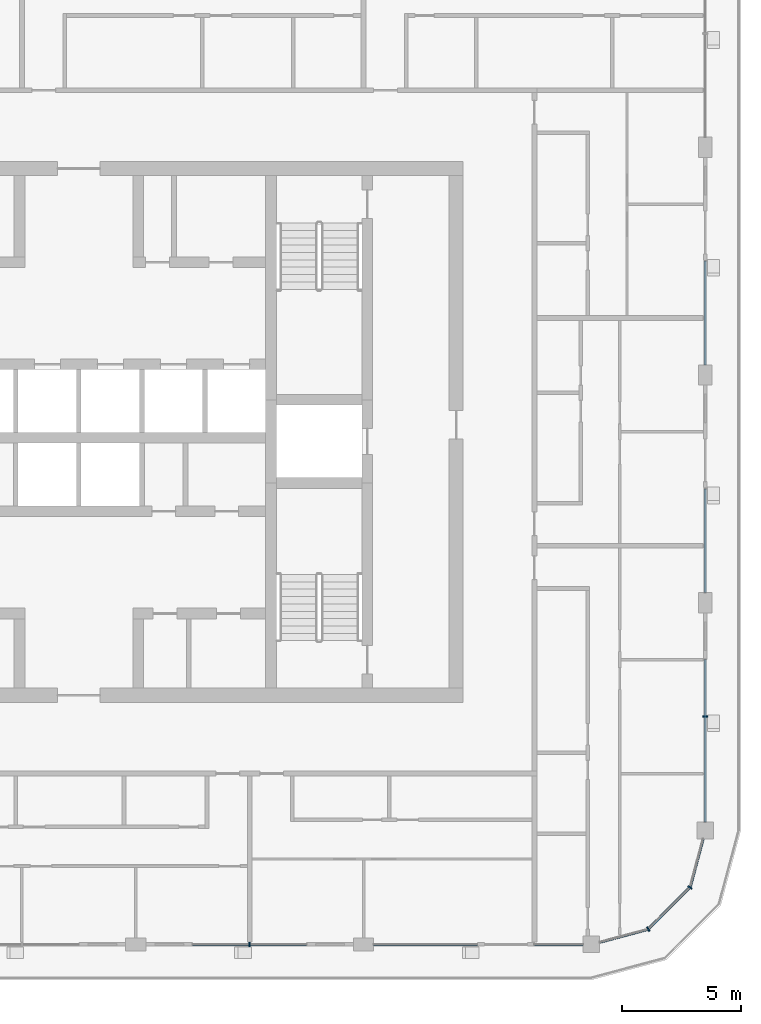
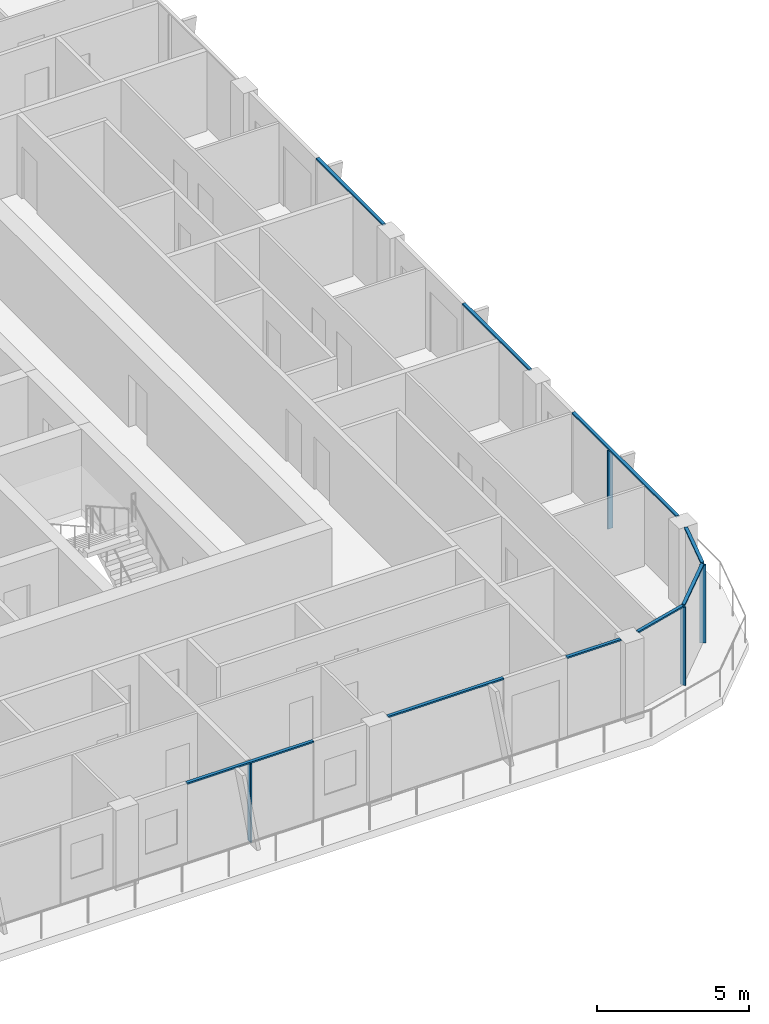
# One storey, part 4 of 22: 13 members, 6 elements without a shape of their own.
"""IFC4 building model written with IfcOpenShell, lengths in metres."""

from ifc_helpers import new_model, si_unit, direction, frame, origin, origin_2d, place, context, subcontext, project, spatial, rectangle, extrude, material, layer, layer_set, material_profile, profile_set, type_object, element, aggregate, save


model = new_model("IFC4")

# Units and contexts
model_context = context("Model", 3, precision=1e-05, world=origin(), true_north=direction((0.0, 1.0)))
body_context = subcontext(model_context, "Body", "Model", "MODEL_VIEW")
ifc_project = project(units=[si_unit("LENGTHUNIT", "METRE"), si_unit("AREAUNIT", "SQUARE_METRE"), si_unit("VOLUMEUNIT", "CUBIC_METRE"), si_unit("PLANEANGLEUNIT", "RADIAN"), si_unit("MASSUNIT", "GRAM", prefix="KILO")], contexts=[model_context])

# Site, building, storey
site_placement = place(None, origin())
site = spatial("IfcSite", under=ifc_project, at=site_placement, CompositionType="ELEMENT")
building_placement = place(site_placement, origin())
building = spatial("IfcBuilding", under=site, at=building_placement, Name="Madar Terraces", CompositionType="ELEMENT")
storey_placement = place(building_placement, frame((0.0, 0.0, 256.199951171875)))
storey = spatial("IfcBuildingStorey", under=building, at=storey_placement, Name="L67", CompositionType="ELEMENT", Elevation=256.199951171875)

# Curtain wall, member
ifc_material_1 = material(Name="Glass, ceramic frit dark grey, with black aluminium frame", Category="aluminium")
ifc_layer = layer(ifc_material_1, 0.199951171875)
ifc_layer_set = layer_set([ifc_layer], Name="Facade curtain wall, fritted glass")
curtain_wall_type = type_object("IfcCurtainWallType", Name="Facade curtain wall, fritted glass", PredefinedType="NOTDEFINED", material=ifc_layer_set)
curtain_wall_1_placement = place(storey_placement, origin())
curtain_wall_1 = element("IfcCurtainWall", 1, at=curtain_wall_1_placement, inside=storey, type_object=curtain_wall_type, Name="Outer skin curtain wall south bay 4", PredefinedType="NOTDEFINED")
ifc_material_2 = material(Name="Aluminium, black anodised", Category="aluminium")
ifc_material_profile_1 = material_profile(ifc_material_2, rectangle(XDim=0.199951171875, YDim=0.06005859375, at=origin_2d()), Name="Facade mullion 60x200")
ifc_profile_set_1 = profile_set([ifc_material_profile_1], Name="Aluminium, black anodised")
member_type_1 = type_object("IfcMemberType", Name="Facade mullion 60x200", PredefinedType="MULLION", material=ifc_profile_set_1)
member_1_placement = place(storey_placement, frame((38.39990234375, 4.800048828125, 0.0), z_axis=(0.0, 0.0, 1.0), x_axis=(0.0, 1.0, 0.0)))
member_1 = element("IfcMember", 2, at=member_1_placement, type_object=member_type_1, Name="Mullion 1", PredefinedType="MULLION", context=body_context, shape_type="SweptSolid", body=[
    extrude(rectangle(XDim=0.199951171875, YDim=0.06005859375, at=origin_2d()), origin(), (0.0, 0.0, 1.0), 3.14013671875),
])

curtain_wall_2_placement = place(storey_placement, origin())
curtain_wall_2 = element("IfcCurtainWall", 3, at=curtain_wall_2_placement, inside=storey, type_object=curtain_wall_type, Name="Outer skin curtain wall east bay 1", PredefinedType="NOTDEFINED")
member_2_placement = place(storey_placement, frame((57.60009765625, 14.39990234375, 0.0), z_axis=(0.0, 0.0, 1.0), x_axis=(-1.0, 0.0, 0.0)))
member_2 = element("IfcMember", 4, at=member_2_placement, type_object=member_type_1, Name="Mullion 1", PredefinedType="MULLION", context=body_context, shape_type="SweptSolid", body=[
    extrude(rectangle(XDim=0.199951171875, YDim=0.06005859375, at=origin_2d()), origin(), (0.0, 0.0, 1.0), 3.14013671875),
])

# Curtain wall, members
curtain_wall_3_placement = place(storey_placement, origin())
curtain_wall_3 = element("IfcCurtainWall", 5, at=curtain_wall_3_placement, inside=storey, type_object=curtain_wall_type, Name="Outer skin curtain wall south-east corner", PredefinedType="NOTDEFINED")
member_3_placement = place(storey_placement, frame((55.199951171875, 5.443115234375, 0.0), z_axis=(0.0, 0.0, 1.0), x_axis=(-0.499999989586, 0.866025409797, 0.0)))
member_3 = element("IfcMember", 6, at=member_3_placement, type_object=member_type_1, Name="Mullion 1", PredefinedType="MULLION", context=body_context, shape_type="SweptSolid", body=[
    extrude(rectangle(XDim=0.199951171875, YDim=0.06005859375, at=origin_2d()), origin(), (0.0, 0.0, 1.0), 3.14013671875),
])
member_4_placement = place(storey_placement, frame((56.95703125, 7.199951171875, 0.0), z_axis=(0.0, 0.0, 1.0), x_axis=(-0.866025409797, 0.499999989586, 0.0)))
member_4 = element("IfcMember", 7, at=member_4_placement, type_object=member_type_1, Name="Mullion 2", PredefinedType="MULLION", context=body_context, shape_type="SweptSolid", body=[
    extrude(rectangle(XDim=0.199951171875, YDim=0.06005859375, at=origin_2d()), origin(), (0.0, 0.0, 1.0), 3.14013671875),
])

# Member
ifc_material_3 = material(Name="Aluminium, black anodised", Category="aluminium")
ifc_material_profile_2 = material_profile(ifc_material_3, rectangle(XDim=0.1201171875, YDim=0.06005859375, at=origin_2d()), Name="Facade transom 60x120")
ifc_profile_set_2 = profile_set([ifc_material_profile_2], Name="Aluminium, black anodised")
member_type_2 = type_object("IfcMemberType", Name="Facade transom 60x120", PredefinedType="USERDEFINED", material=ifc_profile_set_2)
member_5_placement = place(storey_placement, frame((36.0, 4.800048828125, 3.170166015625), z_axis=(1.0, 0.0, 0.0), x_axis=(0.0, 1.0, 0.0)))
member_5 = element("IfcMember", 8, at=member_5_placement, type_object=member_type_2, Name="Transom 1", ObjectType="TRANSOM", PredefinedType="USERDEFINED", context=body_context, shape_type="SweptSolid", body=[
    extrude(rectangle(XDim=0.1201171875, YDim=0.06005859375, at=origin_2d()), origin(), (0.0, 0.0, 1.0), 4.800048828125),
])

aggregate(curtain_wall_1, [member_1, member_5])

# Curtain wall, members
curtain_wall_4_placement = place(storey_placement, origin())
curtain_wall_4 = element("IfcCurtainWall", 9, at=curtain_wall_4_placement, inside=storey, type_object=curtain_wall_type, Name="Outer skin curtain wall south bay 5", PredefinedType="NOTDEFINED")
member_6_placement = place(storey_placement, frame((43.625, 4.800048828125, 3.170166015625), z_axis=(1.0, 0.0, 0.0), x_axis=(0.0, 1.0, 0.0)))
member_6 = element("IfcMember", 10, at=member_6_placement, type_object=member_type_2, Name="Transom 1", ObjectType="TRANSOM", PredefinedType="USERDEFINED", context=body_context, shape_type="SweptSolid", body=[
    extrude(rectangle(XDim=0.1201171875, YDim=0.06005859375, at=origin_2d()), origin(), (0.0, 0.0, 1.0), 4.375),
])
member_7_placement = place(storey_placement, frame((50.39990234375, 4.800048828125, 3.170166015625), z_axis=(1.0, 0.0, 0.0), x_axis=(0.0, 1.0, 0.0)))
member_7 = element("IfcMember", 11, at=member_7_placement, type_object=member_type_2, Name="Transom 2", ObjectType="TRANSOM", PredefinedType="USERDEFINED", context=body_context, shape_type="SweptSolid", body=[
    extrude(rectangle(XDim=0.1201171875, YDim=0.06005859375, at=origin_2d()), origin(), (0.0, 0.0, 1.0), 2.050048828125),
])
aggregate(curtain_wall_4, [member_6, member_7])

# Member
member_8_placement = place(storey_placement, frame((57.60009765625, 9.949951171875, 3.170166015625), z_axis=(0.0, 1.0, 0.0), x_axis=(-1.0, 0.0, 0.0)))
member_8 = element("IfcMember", 12, at=member_8_placement, type_object=member_type_2, Name="Transom 1", ObjectType="TRANSOM", PredefinedType="USERDEFINED", context=body_context, shape_type="SweptSolid", body=[
    extrude(rectangle(XDim=0.1201171875, YDim=0.06005859375, at=origin_2d()), origin(), (0.0, 0.0, 1.0), 6.85009765625),
])

aggregate(curtain_wall_2, [member_2, member_8])

# Curtain wall, member
curtain_wall_5_placement = place(storey_placement, origin())
curtain_wall_5 = element("IfcCurtainWall", 13, at=curtain_wall_5_placement, inside=storey, type_object=curtain_wall_type, Name="Outer skin curtain wall east bay 2", PredefinedType="NOTDEFINED")
member_9_placement = place(storey_placement, frame((57.60009765625, 19.625, 3.170166015625), z_axis=(0.0, 1.0, 0.0), x_axis=(-1.0, 0.0, 0.0)))
member_9 = element("IfcMember", 14, at=member_9_placement, type_object=member_type_2, Name="Transom 1", ObjectType="TRANSOM", PredefinedType="USERDEFINED", context=body_context, shape_type="SweptSolid", body=[
    extrude(rectangle(XDim=0.1201171875, YDim=0.06005859375, at=origin_2d()), origin(), (0.0, 0.0, 1.0), 4.375),
])
aggregate(curtain_wall_5, [member_9])

curtain_wall_6_placement = place(storey_placement, origin())
curtain_wall_6 = element("IfcCurtainWall", 15, at=curtain_wall_6_placement, inside=storey, type_object=curtain_wall_type, Name="Outer skin curtain wall east bay 3", PredefinedType="NOTDEFINED")
member_10_placement = place(storey_placement, frame((57.60009765625, 29.22509765625, 3.170166015625), z_axis=(0.0, 1.0, 0.0), x_axis=(-1.0, 0.0, 0.0)))
member_10 = element("IfcMember", 16, at=member_10_placement, type_object=member_type_2, Name="Transom 1", ObjectType="TRANSOM", PredefinedType="USERDEFINED", context=body_context, shape_type="SweptSolid", body=[
    extrude(rectangle(XDim=0.1201171875, YDim=0.06005859375, at=origin_2d()), origin(), (0.0, 0.0, 1.0), 4.375),
])
aggregate(curtain_wall_6, [member_10])

# Member
member_11_placement = place(storey_placement, frame((53.14990234375, 4.893798828125, 3.170166015625), z_axis=(0.965936074212, 0.258780796304, 0.0), x_axis=(-0.258780796304, 0.965936074212, 0.0)))
member_11 = element("IfcMember", 17, at=member_11_placement, type_object=member_type_2, Name="Transom 1", ObjectType="TRANSOM", PredefinedType="USERDEFINED", context=body_context, shape_type="SweptSolid", body=[
    extrude(rectangle(XDim=0.1201171875, YDim=0.06005859375, at=origin_2d()), origin(), (0.0, 0.0, 1.0), 2.092529296875),
])

member_12_placement = place(storey_placement, frame((55.22119140625, 5.46435546875, 3.170166015625), z_axis=(0.707157125196, 0.707056433593, 0.0), x_axis=(-0.707056433593, 0.707157125196, 0.0)))
member_12 = element("IfcMember", 18, at=member_12_placement, type_object=member_type_2, Name="Transom 2", ObjectType="TRANSOM", PredefinedType="USERDEFINED", context=body_context, shape_type="SweptSolid", body=[
    extrude(rectangle(XDim=0.1201171875, YDim=0.06005859375, at=origin_2d()), origin(), (0.0, 0.0, 1.0), 2.424560546875),
])

member_13_placement = place(storey_placement, frame((56.964599609375, 7.22900390625, 3.170166015625), z_axis=(0.258809963731, 0.965928259589, 0.0), x_axis=(-0.965928259589, 0.258809963731, 0.0)))
member_13 = element("IfcMember", 19, at=member_13_placement, type_object=member_type_2, Name="Transom 3", ObjectType="TRANSOM", PredefinedType="USERDEFINED", context=body_context, shape_type="SweptSolid", body=[
    extrude(rectangle(XDim=0.1201171875, YDim=0.06005859375, at=origin_2d()), origin(), (0.0, 0.0, 1.0), 2.09228515625),
])

aggregate(curtain_wall_3, [member_3, member_11, member_4, member_12, member_13])

save(model, "model.ifc")
